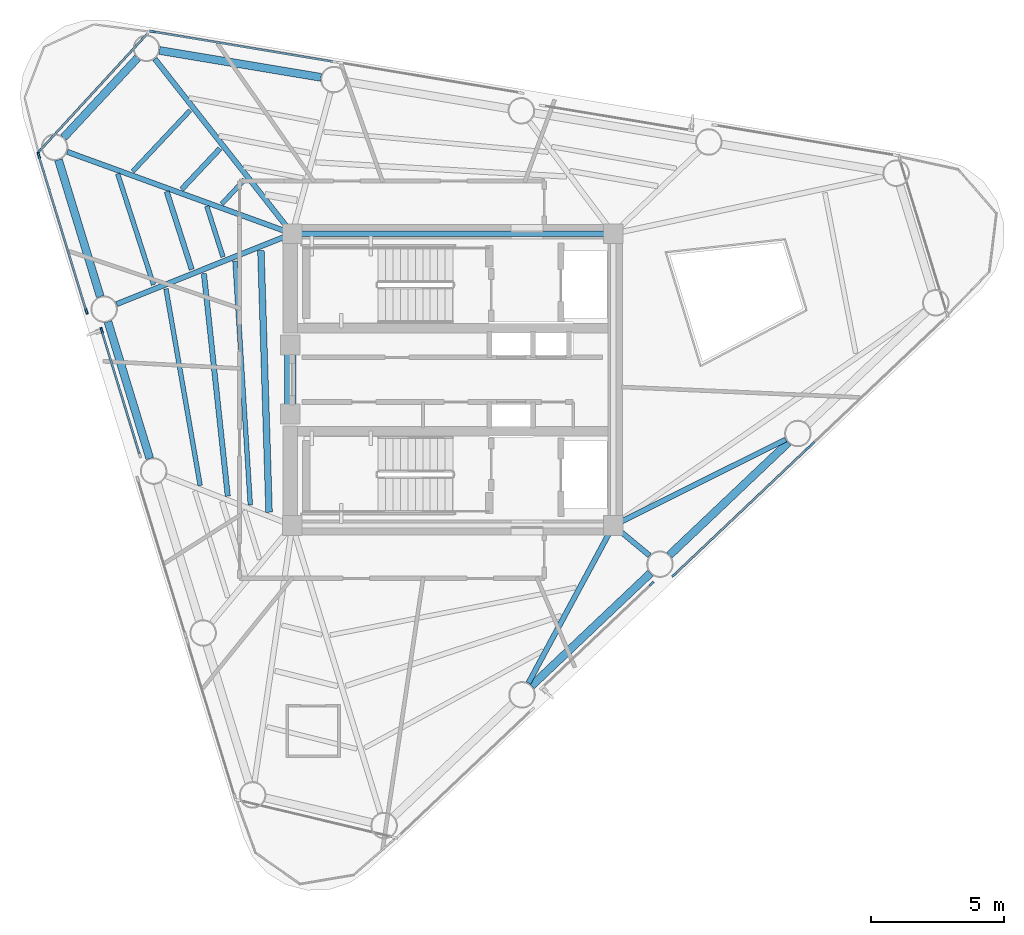
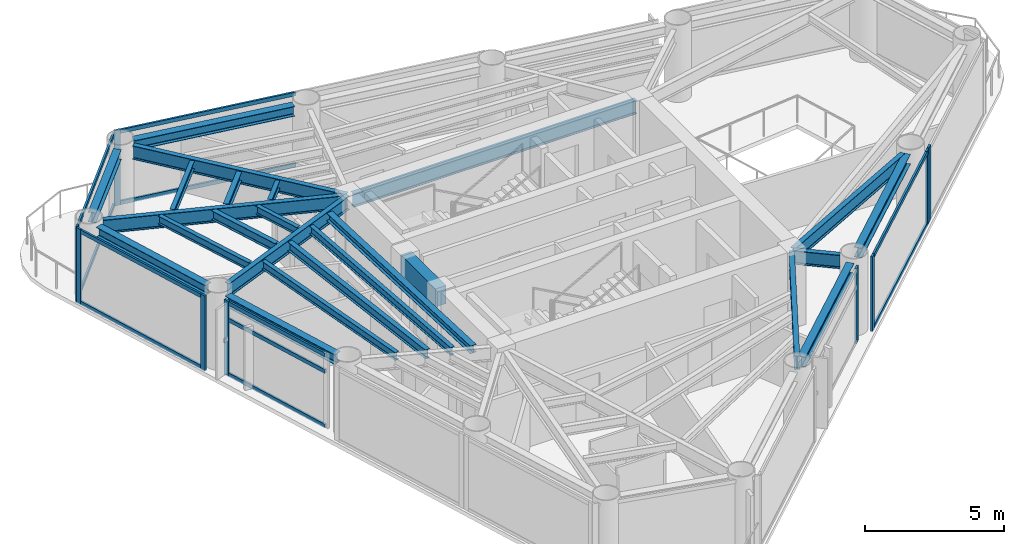
# One storey, part 2 of 8: 24 beams, 20 members, 7 elements without a shape of their own.
"""IFC4 building model written with IfcOpenShell, lengths in metres."""

from ifc_helpers import new_model, si_unit, direction, frame, origin, origin_2d, place, context, subcontext, project, spatial, rectangle, i_section, extrude, source, transform, mapped, material, layer, layer_set, material_profile, profile_set, type_object, element, aggregate, save


model = new_model("IFC4")

# Units and contexts
model_context = context("Model", 3, precision=1e-05, world=origin(), true_north=direction((0.0, 1.0)))
body_context = subcontext(model_context, "Body", "Model", "MODEL_VIEW")
ifc_project = project(units=[si_unit("LENGTHUNIT", "METRE"), si_unit("AREAUNIT", "SQUARE_METRE"), si_unit("VOLUMEUNIT", "CUBIC_METRE"), si_unit("PLANEANGLEUNIT", "RADIAN"), si_unit("MASSUNIT", "GRAM", prefix="KILO")], contexts=[model_context])

# Site, building, storey
site_placement = place(None, origin())
site = spatial("IfcSite", under=ifc_project, at=site_placement, CompositionType="ELEMENT")
building_placement = place(site_placement, origin())
building = spatial("IfcBuilding", under=site, at=building_placement, Name="Yunling Apex Tower", CompositionType="ELEMENT")
storey_placement = place(building_placement, frame((0.0, 0.0, 235.449951171875)))
storey = spatial("IfcBuildingStorey", under=building, at=storey_placement, Name="L57", CompositionType="ELEMENT", Elevation=235.449951171875)

# Beams
ifc_material_1 = material(Name="Concrete C40", Category="concrete")
ifc_material_profile_1 = material_profile(ifc_material_1, rectangle(XDim=0.449951171875, YDim=0.800048828125, at=origin_2d()))
ifc_profile_set_1 = profile_set([ifc_material_profile_1], Name="Concrete C40")
beam_type_1 = type_object("IfcBeamType", Name="BC-CPL-3", PredefinedType="BEAM", material=ifc_profile_set_1)
shared_shape_1 = source(origin(), body_context, "Body", "SweptSolid", [
    extrude(rectangle(XDim=0.449951171875, YDim=0.800048828125, at=origin_2d()), origin(), (0.0, 0.0, 1.0), 2.5),
])
beam_1_placement = place(storey_placement, frame((-6.125, -1.25, 2.820068359375), z_axis=(0.0, 1.0, 0.0), x_axis=(-1.0, 0.0, 0.0)))
element("IfcBeam", 1, at=beam_1_placement, inside=storey, type_object=beam_type_1, Name="L57 Core West Portal Coupling Beam", PredefinedType="BEAM", context=body_context, shape_type="MappedRepresentation", body=[
    mapped(shared_shape_1, transform((0.0, 0.0, 0.0), scale=1.0)),
])
ifc_material_2 = material(Name="Steel Q355B", Category="steel")
ifc_material_profile_2 = material_profile(ifc_material_2, i_section(OverallWidth=0.199951171875, OverallDepth=0.60009765625, WebThickness=0.010986328125, FlangeThickness=0.01708984375, FilletRadius=0.02197265625, at=origin_2d()))
ifc_profile_set_2 = profile_set([ifc_material_profile_2], Name="Steel Q355B")
beam_type_2 = type_object("IfcBeamType", Name="BG-PRI-5", PredefinedType="USERDEFINED", material=ifc_profile_set_2)
shared_shape_2 = source(origin(), body_context, "Body", "SweptSolid", [
    extrude(i_section(OverallWidth=0.199951171875, OverallDepth=0.60009765625, WebThickness=0.010986328125, FlangeThickness=0.01708984375, FilletRadius=0.02197265625, at=origin_2d()), origin(), (0.0, 0.0, 1.0), 11.7998046875),
])
beam_2_placement = place(storey_placement, frame((5.89990234375, 5.5, 2.920166015625), z_axis=(-1.0, 0.0, 0.0), x_axis=(0.0, -1.0, 0.0)))
element("IfcBeam", 2, at=beam_2_placement, inside=storey, type_object=beam_type_2, Name="L57 Core Ring Tie Beam 3", ObjectType="GIRDER", PredefinedType="USERDEFINED", context=body_context, shape_type="MappedRepresentation", body=[
    mapped(shared_shape_2, transform((0.0, 0.0, 0.0), scale=1.0)),
])
ifc_material_profile_3 = material_profile(ifc_material_2, i_section(OverallWidth=0.300048828125, OverallDepth=0.43994140625, WebThickness=0.010986328125, FlangeThickness=0.01806640625, FilletRadius=0.02197265625, at=origin_2d()))
ifc_profile_set_3 = profile_set([ifc_material_profile_3], Name="Steel Q355B")
beam_type_3 = type_object("IfcBeamType", Name="BP-SPN-3", PredefinedType="SPANDREL", material=ifc_profile_set_3)
shared_shape_3 = source(origin(), body_context, "Body", "SweptSolid", [
    extrude(i_section(OverallWidth=0.300048828125, OverallDepth=0.43994140625, WebThickness=0.010986328125, FlangeThickness=0.01806640625, FilletRadius=0.02197265625, at=origin_2d()), origin(), (0.0, 0.0, 1.0), 6.17333984375),
])
for number, where, z_axis, x_axis, name in (
    (3, (8.16748046875, -6.6162109375, 3.0), (0.725853952128, 0.687848849807, 0.0), (-0.687848849807, 0.725853952128, 0.0), "L57 Perimeter Spandrel Beam 3"),
    (4, (-4.967041015625, 11.391845703125, 3.0), (-0.986400336233, 0.164360508275, 0.0), (-0.164360508275, -0.986400336233, 0.0), "L57 Perimeter Spandrel Beam 9"),
):
    element("IfcBeam", number, at=place(storey_placement, frame(where, z_axis=z_axis, x_axis=x_axis)), inside=storey, type_object=beam_type_3, Name=name, PredefinedType="SPANDREL", context=body_context, shape_type="MappedRepresentation", body=[
        mapped(shared_shape_3, transform((0.0, 0.0, 0.0), scale=1.0)),
    ])
shared_shape_4 = source(origin(), body_context, "Body", "SweptSolid", [
    extrude(i_section(OverallWidth=0.300048828125, OverallDepth=0.43994140625, WebThickness=0.010986328125, FlangeThickness=0.01806640625, FilletRadius=0.02197265625, at=origin_2d()), origin(), (0.0, 0.0, 1.0), 6.173095703125),
])
beam_3_placement = place(storey_placement, frame((2.969482421875, -11.5419921875, 3.0), z_axis=(0.725873697531, 0.687828012829, 0.0), x_axis=(-0.687828012829, 0.725873697531, 0.0)))
element("IfcBeam", 5, at=beam_3_placement, inside=storey, type_object=beam_type_3, Name="L57 Perimeter Spandrel Beam 2", PredefinedType="SPANDREL", context=body_context, shape_type="MappedRepresentation", body=[
    mapped(shared_shape_4, transform((0.0, 0.0, 0.0), scale=1.0)),
])
shared_shape_5 = source(origin(), body_context, "Body", "SweptSolid", [
    extrude(i_section(OverallWidth=0.300048828125, OverallDepth=0.43994140625, WebThickness=0.010986328125, FlangeThickness=0.01806640625, FilletRadius=0.02197265625, at=origin_2d()), origin(), (0.0, 0.0, 1.0), 4.1015625),
])
beam_4_placement = place(storey_placement, frame((-11.8798828125, 12.125732421875, 3.0), z_axis=(-0.680585789197, -0.732668399443, 0.0), x_axis=(0.732668399443, -0.680585789197, 0.0)))
element("IfcBeam", 6, at=beam_4_placement, inside=storey, type_object=beam_type_3, Name="L57 Perimeter Spandrel Beam 10", PredefinedType="SPANDREL", context=body_context, shape_type="MappedRepresentation", body=[
    mapped(shared_shape_5, transform((0.0, 0.0, 0.0), scale=1.0)),
])
shared_shape_6 = source(origin(), body_context, "Body", "SweptSolid", [
    extrude(i_section(OverallWidth=0.300048828125, OverallDepth=0.43994140625, WebThickness=0.010986328125, FlangeThickness=0.01806640625, FilletRadius=0.02197265625, at=origin_2d()), origin(), (0.0, 0.0, 1.0), 5.39404296875),
])
for number, where, z_axis, x_axis, name in (
    (7, (-14.863037109375, 8.286376953125, 3.0), (0.292393318538, -0.956298147689, 0.0), (0.956298147689, 0.292393318538, 0.0), "L57 Perimeter Spandrel Beam 11"),
    (8, (-12.997314453125, 2.183349609375, 3.0), (0.292380663083, -0.956302017072, 0.0), (0.956302017072, 0.292380663083, 0.0), "L57 Perimeter Spandrel Beam 12"),
):
    element("IfcBeam", number, at=place(storey_placement, frame(where, z_axis=z_axis, x_axis=x_axis)), inside=storey, type_object=beam_type_3, Name=name, PredefinedType="SPANDREL", context=body_context, shape_type="MappedRepresentation", body=[
        mapped(shared_shape_6, transform((0.0, 0.0, 0.0), scale=1.0)),
    ])
shared_shape_7 = source(origin(), body_context, "Body", "SweptSolid", [
    extrude(i_section(OverallWidth=0.199951171875, OverallDepth=0.60009765625, WebThickness=0.010986328125, FlangeThickness=0.01708984375, FilletRadius=0.02197265625, at=origin_2d()), origin(), (0.0, 0.0, 1.0), 6.661865234375),
])
beam_5_placement = place(storey_placement, frame((2.851806640625, -11.434814453125, 2.920166015625), z_axis=(0.474372979845, 0.88032396082, 0.0), x_axis=(-0.88032396082, 0.474372979845, 0.0)))
element("IfcBeam", 9, at=beam_5_placement, inside=storey, type_object=beam_type_2, Name="L57 Radial Primary Girder R02", ObjectType="GIRDER", PredefinedType="USERDEFINED", context=body_context, shape_type="MappedRepresentation", body=[
    mapped(shared_shape_7, transform((0.0, 0.0, 0.0), scale=1.0)),
])
shared_shape_8 = source(origin(), body_context, "Body", "SweptSolid", [
    extrude(i_section(OverallWidth=0.199951171875, OverallDepth=0.60009765625, WebThickness=0.010986328125, FlangeThickness=0.01708984375, FilletRadius=0.02197265625, at=origin_2d()), origin(), (0.0, 0.0, 1.0), 1.695556640625),
])
beam_6_placement = place(storey_placement, frame((7.417724609375, -6.632080078125, 2.920166015625), z_axis=(-0.770365054174, 0.637603076614, 0.0), x_axis=(-0.637603076614, -0.770365054174, 0.0)))
element("IfcBeam", 10, at=beam_6_placement, inside=storey, type_object=beam_type_2, Name="L57 Radial Primary Girder R03", ObjectType="GIRDER", PredefinedType="USERDEFINED", context=body_context, shape_type="MappedRepresentation", body=[
    mapped(shared_shape_8, transform((0.0, 0.0, 0.0), scale=1.0)),
])
shared_shape_9 = source(origin(), body_context, "Body", "SweptSolid", [
    extrude(i_section(OverallWidth=0.199951171875, OverallDepth=0.60009765625, WebThickness=0.010986328125, FlangeThickness=0.01708984375, FilletRadius=0.02197265625, at=origin_2d()), origin(), (0.0, 0.0, 1.0), 7.1865234375),
])
beam_7_placement = place(storey_placement, frame((12.552490234375, -2.256591796875, 2.920166015625), z_axis=(-0.894854827722, -0.446357297803, 0.0), x_axis=(0.446357297803, -0.894854827722, 0.0)))
element("IfcBeam", 11, at=beam_7_placement, inside=storey, type_object=beam_type_2, Name="L57 Radial Primary Girder R04", ObjectType="GIRDER", PredefinedType="USERDEFINED", context=body_context, shape_type="MappedRepresentation", body=[
    mapped(shared_shape_9, transform((0.0, 0.0, 0.0), scale=1.0)),
])
shared_shape_10 = source(origin(), body_context, "Body", "SweptSolid", [
    extrude(i_section(OverallWidth=0.199951171875, OverallDepth=0.60009765625, WebThickness=0.010986328125, FlangeThickness=0.01708984375, FilletRadius=0.02197265625, at=origin_2d()), origin(), (0.0, 0.0, 1.0), 8.300537109375),
])
beam_8_placement = place(storey_placement, frame((-11.229736328125, 12.088134765625, 2.920166015625), z_axis=(0.618080016926, -0.786115190463, 0.0), x_axis=(0.786115190463, 0.618080016926, 0.0)))
element("IfcBeam", 12, at=beam_8_placement, inside=storey, type_object=beam_type_2, Name="L57 Radial Primary Girder R10", ObjectType="GIRDER", PredefinedType="USERDEFINED", context=body_context, shape_type="MappedRepresentation", body=[
    mapped(shared_shape_10, transform((0.0, 0.0, 0.0), scale=1.0)),
])
shared_shape_11 = source(origin(), body_context, "Body", "SweptSolid", [
    extrude(i_section(OverallWidth=0.199951171875, OverallDepth=0.60009765625, WebThickness=0.010986328125, FlangeThickness=0.01708984375, FilletRadius=0.02197265625, at=origin_2d()), origin(), (0.0, 0.0, 1.0), 8.943603515625),
])
beam_9_placement = place(storey_placement, frame((-14.530029296875, 8.5849609375, 2.920166015625), z_axis=(0.939745593755, -0.341874566205, 0.0), x_axis=(0.341874566205, 0.939745593755, 0.0)))
element("IfcBeam", 13, at=beam_9_placement, inside=storey, type_object=beam_type_2, Name="L57 Radial Primary Girder R11", ObjectType="GIRDER", PredefinedType="USERDEFINED", context=body_context, shape_type="MappedRepresentation", body=[
    mapped(shared_shape_11, transform((0.0, 0.0, 0.0), scale=1.0)),
])
shared_shape_12 = source(origin(), body_context, "Body", "SweptSolid", [
    extrude(i_section(OverallWidth=0.199951171875, OverallDepth=0.60009765625, WebThickness=0.010986328125, FlangeThickness=0.01708984375, FilletRadius=0.02197265625, at=origin_2d()), origin(), (0.0, 0.0, 1.0), 7.052734375),
])
beam_10_placement = place(storey_placement, frame((-12.670166015625, 2.8447265625, 2.920166015625), z_axis=(0.928127733356, 0.372261884399, 0.0), x_axis=(-0.372261884399, 0.928127733356, 0.0)))
element("IfcBeam", 14, at=beam_10_placement, inside=storey, type_object=beam_type_2, Name="L57 Radial Primary Girder R12", ObjectType="GIRDER", PredefinedType="USERDEFINED", context=body_context, shape_type="MappedRepresentation", body=[
    mapped(shared_shape_12, transform((0.0, 0.0, 0.0), scale=1.0)),
])
ifc_material_profile_4 = material_profile(ifc_material_2, i_section(OverallWidth=0.199951171875, OverallDepth=0.39990234375, WebThickness=0.008056640625, FlangeThickness=0.012939453125, FilletRadius=0.01611328125, at=origin_2d()))
ifc_profile_set_4 = profile_set([ifc_material_profile_4], Name="Steel Q355B")
beam_type_4 = type_object("IfcBeamType", Name="BS-SEC-4", PredefinedType="BEAM", material=ifc_profile_set_4)
shared_shape_13 = source(origin(), body_context, "Body", "SweptSolid", [
    extrude(i_section(OverallWidth=0.199951171875, OverallDepth=0.39990234375, WebThickness=0.008056640625, FlangeThickness=0.012939453125, FilletRadius=0.01611328125, at=origin_2d()), origin(), (0.0, 0.0, 1.0), 2.108154296875),
])
beam_11_placement = place(storey_placement, frame((-8.774169921875, 8.708984375, 3.02001953125), z_axis=(-0.684880497063, -0.728655408779, 0.0), x_axis=(0.728655408779, -0.684880497063, 0.0)))
element("IfcBeam", 15, at=beam_11_placement, inside=storey, type_object=beam_type_4, Name="L57 Composite Floor Beam BS-10", PredefinedType="BEAM", context=body_context, shape_type="MappedRepresentation", body=[
    mapped(shared_shape_13, transform((0.0, 0.0, 0.0), scale=1.0)),
])
ifc_material_profile_5 = material_profile(ifc_material_2, i_section(OverallWidth=0.175048828125, OverallDepth=0.35009765625, WebThickness=0.007080078125, FlangeThickness=0.010986328125, FilletRadius=0.013916015625, at=origin_2d()))
ifc_profile_set_5 = profile_set([ifc_material_profile_5], Name="Steel Q355B")
beam_type_5 = type_object("IfcBeamType", Name="BJ-JST-1", PredefinedType="JOIST", material=ifc_profile_set_5)
shared_shape_14 = source(origin(), body_context, "Body", "SweptSolid", [
    extrude(i_section(OverallWidth=0.175048828125, OverallDepth=0.35009765625, WebThickness=0.007080078125, FlangeThickness=0.010986328125, FilletRadius=0.013916015625, at=origin_2d()), origin(), (0.0, 0.0, 1.0), 3.157470703125),
])
beam_12_placement = place(storey_placement, frame((-9.903076171875, 10.14453125, 3.045166015625), z_axis=(-0.685403289292, -0.728163670494, 0.0), x_axis=(0.728163670494, -0.685403289292, 0.0)))
element("IfcBeam", 16, at=beam_12_placement, inside=storey, type_object=beam_type_5, Name="L57 Composite Floor Joist BJ1-10", PredefinedType="JOIST", context=body_context, shape_type="MappedRepresentation", body=[
    mapped(shared_shape_14, transform((0.0, 0.0, 0.0), scale=1.0)),
])
shared_shape_15 = source(origin(), body_context, "Body", "SweptSolid", [
    extrude(i_section(OverallWidth=0.175048828125, OverallDepth=0.35009765625, WebThickness=0.007080078125, FlangeThickness=0.010986328125, FilletRadius=0.013916015625, at=origin_2d()), origin(), (0.0, 0.0, 1.0), 1.249755859375),
])
beam_13_placement = place(storey_placement, frame((-7.8505859375, 7.5341796875, 3.045166015625), z_axis=(-0.683980120085, -0.729500647929, 0.0), x_axis=(0.729500647929, -0.683980120085, 0.0)))
element("IfcBeam", 17, at=beam_13_placement, inside=storey, type_object=beam_type_5, Name="L57 Composite Floor Joist BJ3-10", PredefinedType="JOIST", context=body_context, shape_type="MappedRepresentation", body=[
    mapped(shared_shape_15, transform((0.0, 0.0, 0.0), scale=1.0)),
])
shared_shape_16 = source(origin(), body_context, "Body", "SweptSolid", [
    extrude(i_section(OverallWidth=0.199951171875, OverallDepth=0.39990234375, WebThickness=0.008056640625, FlangeThickness=0.012939453125, FilletRadius=0.01611328125, at=origin_2d()), origin(), (0.0, 0.0, 1.0), 3.083251953125),
])
beam_14_placement = place(storey_placement, frame((-10.782958984375, 7.08740234375, 3.02001953125), z_axis=(0.306209104811, -0.951964276709, 0.0), x_axis=(0.951964276709, 0.306209104811, 0.0)))
element("IfcBeam", 18, at=beam_14_placement, inside=storey, type_object=beam_type_4, Name="L57 Composite Floor Beam BS-11", PredefinedType="BEAM", context=body_context, shape_type="MappedRepresentation", body=[
    mapped(shared_shape_16, transform((0.0, 0.0, 0.0), scale=1.0)),
])
shared_shape_17 = source(origin(), body_context, "Body", "SweptSolid", [
    extrude(i_section(OverallWidth=0.175048828125, OverallDepth=0.35009765625, WebThickness=0.007080078125, FlangeThickness=0.010986328125, FilletRadius=0.013916015625, at=origin_2d()), origin(), (0.0, 0.0, 1.0), 4.3984375),
])
beam_15_placement = place(storey_placement, frame((-12.6318359375, 7.760009765625, 3.045166015625), z_axis=(0.307505485962, -0.951546307913, 0.0), x_axis=(0.951546307913, 0.307505485962, 0.0)))
element("IfcBeam", 19, at=beam_15_placement, inside=storey, type_object=beam_type_5, Name="L57 Composite Floor Joist BJ1-11", PredefinedType="JOIST", context=body_context, shape_type="MappedRepresentation", body=[
    mapped(shared_shape_17, transform((0.0, 0.0, 0.0), scale=1.0)),
])
shared_shape_18 = source(origin(), body_context, "Body", "SweptSolid", [
    extrude(i_section(OverallWidth=0.175048828125, OverallDepth=0.35009765625, WebThickness=0.007080078125, FlangeThickness=0.010986328125, FilletRadius=0.013916015625, at=origin_2d()), origin(), (0.0, 0.0, 1.0), 2.0068359375),
])
beam_16_placement = place(storey_placement, frame((-9.2705078125, 6.536865234375, 3.045166015625), z_axis=(0.304011984445, -0.95266820736, 0.0), x_axis=(0.95266820736, 0.304011984445, 0.0)))
element("IfcBeam", 20, at=beam_16_placement, inside=storey, type_object=beam_type_5, Name="L57 Composite Floor Joist BJ3-11", PredefinedType="JOIST", context=body_context, shape_type="MappedRepresentation", body=[
    mapped(shared_shape_18, transform((0.0, 0.0, 0.0), scale=1.0)),
])
shared_shape_19 = source(origin(), body_context, "Body", "SweptSolid", [
    extrude(i_section(OverallWidth=0.199951171875, OverallDepth=0.39990234375, WebThickness=0.008056640625, FlangeThickness=0.012939453125, FilletRadius=0.01611328125, at=origin_2d()), origin(), (0.0, 0.0, 1.0), 8.439208984375),
])
beam_17_placement = place(storey_placement, frame((-9.380126953125, 3.998291015625, 3.02001953125), z_axis=(0.106576025189, -0.994304556389, 0.0), x_axis=(0.994304556389, 0.106576025189, 0.0)))
element("IfcBeam", 21, at=beam_17_placement, inside=storey, type_object=beam_type_4, Name="L57 Composite Floor Beam BS-12", PredefinedType="BEAM", context=body_context, shape_type="MappedRepresentation", body=[
    mapped(shared_shape_19, transform((0.0, 0.0, 0.0), scale=1.0)),
])
shared_shape_20 = source(origin(), body_context, "Body", "SweptSolid", [
    extrude(i_section(OverallWidth=0.175048828125, OverallDepth=0.35009765625, WebThickness=0.007080078125, FlangeThickness=0.010986328125, FilletRadius=0.013916015625, at=origin_2d()), origin(), (0.0, 0.0, 1.0), 7.523681640625),
])
beam_18_placement = place(storey_placement, frame((-10.809814453125, 3.42236328125, 3.045166015625), z_axis=(0.171367194042, -0.985207229372, 0.0), x_axis=(0.985207229372, 0.171367194042, 0.0)))
element("IfcBeam", 22, at=beam_18_placement, inside=storey, type_object=beam_type_5, Name="L57 Composite Floor Joist BJ1-12", PredefinedType="JOIST", context=body_context, shape_type="MappedRepresentation", body=[
    mapped(shared_shape_20, transform((0.0, 0.0, 0.0), scale=1.0)),
])
shared_shape_21 = source(origin(), body_context, "Body", "SweptSolid", [
    extrude(i_section(OverallWidth=0.175048828125, OverallDepth=0.35009765625, WebThickness=0.007080078125, FlangeThickness=0.010986328125, FilletRadius=0.013916015625, at=origin_2d()), origin(), (0.0, 0.0, 1.0), 9.211669921875),
])
beam_19_placement = place(storey_placement, frame((-8.208984375, 4.470458984375, 3.045166015625), z_axis=(0.062680234959, -0.998033660828, 0.0), x_axis=(0.998033660828, 0.062680234959, 0.0)))
element("IfcBeam", 23, at=beam_19_placement, inside=storey, type_object=beam_type_5, Name="L57 Composite Floor Joist BJ3-12", PredefinedType="JOIST", context=body_context, shape_type="MappedRepresentation", body=[
    mapped(shared_shape_21, transform((0.0, 0.0, 0.0), scale=1.0)),
])
ifc_material_profile_6 = material_profile(ifc_material_2, i_section(OverallWidth=0.25, OverallDepth=0.340087890625, WebThickness=0.009033203125, FlangeThickness=0.013916015625, FilletRadius=0.01806640625, at=origin_2d()))
ifc_profile_set_6 = profile_set([ifc_material_profile_6], Name="Steel Q355B")
beam_type_6 = type_object("IfcBeamType", Name="BJ-JST-2", PredefinedType="JOIST", material=ifc_profile_set_6)
shared_shape_22 = source(origin(), body_context, "Body", "SweptSolid", [
    extrude(i_section(OverallWidth=0.25, OverallDepth=0.340087890625, WebThickness=0.009033203125, FlangeThickness=0.013916015625, FilletRadius=0.01806640625, at=origin_2d()), origin(), (0.0, 0.0, 1.0), 9.867431640625),
])
beam_20_placement = place(storey_placement, frame((-7.232177734375, 4.864013671875, 3.050048828125), z_axis=(0.03115055603, -0.999514703673, 0.0), x_axis=(0.999514703673, 0.03115055603, 0.0)))
element("IfcBeam", 24, at=beam_20_placement, inside=storey, type_object=beam_type_6, Name="L57 Composite Floor Joist BJ2-12", PredefinedType="JOIST", context=body_context, shape_type="MappedRepresentation", body=[
    mapped(shared_shape_22, transform((0.0, 0.0, 0.0), scale=1.0)),
])

# Curtain wall, members
ifc_material_3 = material(Name="Bronze anodised aluminium", Category="aluminium")
ifc_layer = layer(ifc_material_3, 0.219970703125)
ifc_layer_set = layer_set([ifc_layer], Name="Bronze anodised aluminium")
curtain_wall_type = type_object("IfcCurtainWallType", Name="CW-SYS-4", PredefinedType="NOTDEFINED", material=ifc_layer_set)
curtain_wall_1_placement = place(storey_placement, origin())
curtain_wall_1 = element("IfcCurtainWall", 25, at=curtain_wall_1_placement, inside=storey, type_object=curtain_wall_type, Name="CW-L57-F1-B3", PredefinedType="NOTDEFINED")
ifc_material_profile_7 = material_profile(ifc_material_3, rectangle(XDim=0.080078125, YDim=0.169921875, at=origin_2d()))
ifc_profile_set_7 = profile_set([ifc_material_profile_7], Name="Bronze anodised aluminium")
member_type_1 = type_object("IfcMemberType", Name="CW-TRN-4", PredefinedType="USERDEFINED", material=ifc_profile_set_7)
shared_shape_23 = source(origin(), body_context, "Body", "SweptSolid", [
    extrude(rectangle(XDim=0.080078125, YDim=0.169921875, at=origin_2d()), origin(), (0.0, 0.0, 1.0), 6.849365234375),
])
member_1_placement = place(storey_placement, frame((8.376220703125, -7.32763671875, 0.0400390625), z_axis=(0.725867443411, 0.687834612822, 0.0), x_axis=(-0.687834612822, 0.725867443411, 0.0)))
member_1 = element("IfcMember", 26, at=member_1_placement, type_object=member_type_1, Name="CW-SYS-4 transom 1.1", ObjectType="TRANSOM", PredefinedType="USERDEFINED", context=body_context, shape_type="MappedRepresentation", body=[
    mapped(shared_shape_23, transform((0.0, 0.0, 0.0), scale=1.0)),
])
member_2_placement = place(storey_placement, frame((8.376220703125, -7.32763671875, 3.179931640625), z_axis=(0.725867443411, 0.687834612822, 0.0), x_axis=(-0.687834612822, 0.725867443411, 0.0)))
member_2 = element("IfcMember", 27, at=member_2_placement, type_object=member_type_1, Name="CW-SYS-4 transom 1.2", ObjectType="TRANSOM", PredefinedType="USERDEFINED", context=body_context, shape_type="MappedRepresentation", body=[
    mapped(shared_shape_23, transform((0.0, 0.0, 0.0), scale=1.0)),
])

curtain_wall_2_placement = place(storey_placement, origin())
curtain_wall_2 = element("IfcCurtainWall", 28, at=curtain_wall_2_placement, inside=storey, type_object=curtain_wall_type, Name="CW-L57-F2-B4", PredefinedType="NOTDEFINED")
shared_shape_24 = source(origin(), body_context, "Body", "SweptSolid", [
    extrude(rectangle(XDim=0.080078125, YDim=0.169921875, at=origin_2d()), origin(), (0.0, 0.0, 1.0), 6.849609375),
])
member_3_placement = place(storey_placement, frame((-4.525146484375, 11.9873046875, 0.0400390625), z_axis=(-0.986401629478, 0.164352746749, 0.0), x_axis=(-0.164352746749, -0.986401629478, 0.0)))
member_3 = element("IfcMember", 29, at=member_3_placement, type_object=member_type_1, Name="CW-SYS-4 transom 1.1", ObjectType="TRANSOM", PredefinedType="USERDEFINED", context=body_context, shape_type="MappedRepresentation", body=[
    mapped(shared_shape_24, transform((0.0, 0.0, 0.0), scale=1.0)),
])
member_4_placement = place(storey_placement, frame((-4.525146484375, 11.9873046875, 3.179931640625), z_axis=(-0.986401629478, 0.164352746749, 0.0), x_axis=(-0.164352746749, -0.986401629478, 0.0)))
member_4 = element("IfcMember", 30, at=member_4_placement, type_object=member_type_1, Name="CW-SYS-4 transom 1.2", ObjectType="TRANSOM", PredefinedType="USERDEFINED", context=body_context, shape_type="MappedRepresentation", body=[
    mapped(shared_shape_24, transform((0.0, 0.0, 0.0), scale=1.0)),
])

curtain_wall_3_placement = place(storey_placement, origin())
curtain_wall_3 = element("IfcCurtainWall", 31, at=curtain_wall_3_placement, inside=storey, type_object=curtain_wall_type, Name="CW-L57-CRN2", PredefinedType="NOTDEFINED")
shared_shape_25 = source(origin(), body_context, "Body", "SweptSolid", [
    extrude(rectangle(XDim=0.080078125, YDim=0.169921875, at=origin_2d()), origin(), (0.0, 0.0, 1.0), 6.025390625),
])
member_5_placement = place(storey_placement, frame((-11.489990234375, 13.06298828125, 0.0400390625), z_axis=(-0.676824761053, -0.736144172582, 0.0), x_axis=(0.736144172582, -0.676824761053, 0.0)))
member_5 = element("IfcMember", 32, at=member_5_placement, type_object=member_type_1, Name="CW-SYS-4 transom 1.1", ObjectType="TRANSOM", PredefinedType="USERDEFINED", context=body_context, shape_type="MappedRepresentation", body=[
    mapped(shared_shape_25, transform((0.0, 0.0, 0.0), scale=1.0)),
])
member_6_placement = place(storey_placement, frame((-11.489990234375, 13.06298828125, 3.179931640625), z_axis=(-0.676824761053, -0.736144172582, 0.0), x_axis=(0.736144172582, -0.676824761053, 0.0)))
member_6 = element("IfcMember", 33, at=member_6_placement, type_object=member_type_1, Name="CW-SYS-4 transom 1.2", ObjectType="TRANSOM", PredefinedType="USERDEFINED", context=body_context, shape_type="MappedRepresentation", body=[
    mapped(shared_shape_25, transform((0.0, 0.0, 0.0), scale=1.0)),
])

curtain_wall_4_placement = place(storey_placement, origin())
curtain_wall_4 = element("IfcCurtainWall", 34, at=curtain_wall_4_placement, inside=storey, type_object=curtain_wall_type, Name="CW-L57-F3-B1", PredefinedType="NOTDEFINED")
shared_shape_26 = source(origin(), body_context, "Body", "SweptSolid", [
    extrude(rectangle(XDim=0.080078125, YDim=0.169921875, at=origin_2d()), origin(), (0.0, 0.0, 1.0), 6.06982421875),
])
member_7_placement = place(storey_placement, frame((-15.593017578125, 8.41650390625, 0.0400390625), z_axis=(0.292369766892, -0.956305348415, 0.0), x_axis=(0.956305348415, 0.292369766892, 0.0)))
member_7 = element("IfcMember", 35, at=member_7_placement, type_object=member_type_1, Name="CW-SYS-4 transom 1.1", ObjectType="TRANSOM", PredefinedType="USERDEFINED", context=body_context, shape_type="MappedRepresentation", body=[
    mapped(shared_shape_26, transform((0.0, 0.0, 0.0), scale=1.0)),
])
member_8_placement = place(storey_placement, frame((-15.593017578125, 8.41650390625, 3.179931640625), z_axis=(0.292369766892, -0.956305348415, 0.0), x_axis=(0.956305348415, 0.292369766892, 0.0)))
member_8 = element("IfcMember", 36, at=member_8_placement, type_object=member_type_1, Name="CW-SYS-4 transom 1.2", ObjectType="TRANSOM", PredefinedType="USERDEFINED", context=body_context, shape_type="MappedRepresentation", body=[
    mapped(shared_shape_26, transform((0.0, 0.0, 0.0), scale=1.0)),
])

curtain_wall_5_placement = place(storey_placement, origin())
curtain_wall_5 = element("IfcCurtainWall", 37, at=curtain_wall_5_placement, inside=storey, type_object=curtain_wall_type, Name="CW-L57-F3-B2", PredefinedType="NOTDEFINED")
shared_shape_27 = source(origin(), body_context, "Body", "SweptSolid", [
    extrude(rectangle(XDim=0.080078125, YDim=0.169921875, at=origin_2d()), origin(), (0.0, 0.0, 1.0), 4.829833984375),
])
member_9_placement = place(storey_placement, frame((-13.220703125, 1.820068359375, 0.0400390625), z_axis=(0.292366214736, -0.956306434403, 0.0), x_axis=(0.956306434403, 0.292366214736, 0.0)))
member_9 = element("IfcMember", 38, at=member_9_placement, type_object=member_type_1, Name="CW-SYS-4 transom 1.1", ObjectType="TRANSOM", PredefinedType="USERDEFINED", context=body_context, shape_type="MappedRepresentation", body=[
    mapped(shared_shape_27, transform((0.0, 0.0, 0.0), scale=1.0)),
])
member_10_placement = place(storey_placement, frame((-13.220703125, 1.820068359375, 2.447265625), z_axis=(0.292366214736, -0.956306434403, 0.0), x_axis=(0.956306434403, 0.292366214736, 0.0)))
member_10 = element("IfcMember", 39, at=member_10_placement, type_object=member_type_1, Name="CW-SYS-4 transom 1.2", ObjectType="TRANSOM", PredefinedType="USERDEFINED", context=body_context, shape_type="MappedRepresentation", body=[
    mapped(shared_shape_27, transform((0.0, 0.0, 0.0), scale=1.0)),
])
member_11_placement = place(storey_placement, frame((-13.220703125, 1.820068359375, 3.179931640625), z_axis=(0.292366214736, -0.956306434403, 0.0), x_axis=(0.956306434403, 0.292366214736, 0.0)))
member_11 = element("IfcMember", 40, at=member_11_placement, type_object=member_type_1, Name="CW-SYS-4 transom 1.3", ObjectType="TRANSOM", PredefinedType="USERDEFINED", context=body_context, shape_type="MappedRepresentation", body=[
    mapped(shared_shape_27, transform((0.0, 0.0, 0.0), scale=1.0)),
])

# Curtain wall, member
curtain_wall_6_placement = place(storey_placement, origin())
curtain_wall_6 = element("IfcCurtainWall", 41, at=curtain_wall_6_placement, inside=storey, type_object=curtain_wall_type, Name="CW-L57-F1-B2", PredefinedType="NOTDEFINED")
ifc_material_profile_8 = material_profile(ifc_material_3, rectangle(XDim=0.080078125, YDim=0.219970703125, at=origin_2d()))
ifc_profile_set_8 = profile_set([ifc_material_profile_8], Name="Bronze anodised aluminium")
member_type_2 = type_object("IfcMemberType", Name="CW-MUL-4", PredefinedType="MULLION", material=ifc_profile_set_8)
shared_shape_28 = source(origin(), body_context, "Body", "SweptSolid", [
    extrude(rectangle(XDim=0.080078125, YDim=0.219970703125, at=origin_2d()), origin(), (0.0, 0.0, 1.0), 3.320068359375),
])
member_12_placement = place(storey_placement, frame((7.491943359375, -7.697265625, -0.050048828125), z_axis=(0.0, 0.0, 1.0), x_axis=(-0.687854406681, 0.725848686167, 0.0)))
member_12 = element("IfcMember", 42, at=member_12_placement, type_object=member_type_2, Name="CW-SYS-4 mullion 2", PredefinedType="MULLION", context=body_context, shape_type="MappedRepresentation", body=[
    mapped(shared_shape_28, transform((0.0, 0.0, 0.0), scale=1.0)),
])
aggregate(curtain_wall_6, [member_12])

# Member
member_13_placement = place(storey_placement, frame((8.35009765625, -7.3525390625, -0.050048828125), z_axis=(0.0, 0.0, 1.0), x_axis=(-0.687848040467, 0.72585471909, 0.0)))
member_13 = element("IfcMember", 43, at=member_13_placement, type_object=member_type_2, Name="CW-SYS-4 mullion 1", PredefinedType="MULLION", context=body_context, shape_type="MappedRepresentation", body=[
    mapped(shared_shape_28, transform((0.0, 0.0, 0.0), scale=1.0)),
])

member_14_placement = place(storey_placement, frame((13.3740234375, -2.591552734375, -0.050048828125), z_axis=(0.0, 0.0, 1.0), x_axis=(-0.687848040467, 0.72585471909, 0.0)))
member_14 = element("IfcMember", 44, at=member_14_placement, type_object=member_type_2, Name="CW-SYS-4 mullion 2", PredefinedType="MULLION", context=body_context, shape_type="MappedRepresentation", body=[
    mapped(shared_shape_28, transform((0.0, 0.0, 0.0), scale=1.0)),
])

aggregate(curtain_wall_1, [member_13, member_14, member_1, member_2])

# Curtain wall, member
curtain_wall_7_placement = place(storey_placement, origin())
curtain_wall_7 = element("IfcCurtainWall", 45, at=curtain_wall_7_placement, inside=storey, type_object=curtain_wall_type, Name="CW-L57-F1-B4", PredefinedType="NOTDEFINED")
member_15_placement = place(storey_placement, frame((13.54833984375, -2.426513671875, -0.050048828125), z_axis=(0.0, 0.0, 1.0), x_axis=(-0.687848040467, 0.72585471909, 0.0)))
member_15 = element("IfcMember", 46, at=member_15_placement, type_object=member_type_2, Name="CW-SYS-4 mullion 1", PredefinedType="MULLION", context=body_context, shape_type="MappedRepresentation", body=[
    mapped(shared_shape_28, transform((0.0, 0.0, 0.0), scale=1.0)),
])
aggregate(curtain_wall_7, [member_15])

# Member
member_16_placement = place(storey_placement, frame((-11.31689453125, 13.118896484375, -0.050048828125), z_axis=(0.0, 0.0, 1.0), x_axis=(-0.164352664392, -0.9864016432, 0.0)))
member_16 = element("IfcMember", 47, at=member_16_placement, type_object=member_type_2, Name="CW-SYS-4 mullion 2", PredefinedType="MULLION", context=body_context, shape_type="MappedRepresentation", body=[
    mapped(shared_shape_28, transform((0.0, 0.0, 0.0), scale=1.0)),
])

aggregate(curtain_wall_2, [member_16, member_3, member_4])

member_17_placement = place(storey_placement, frame((-15.592529296875, 8.60107421875, -0.050048828125), z_axis=(0.0, 0.0, 1.0), x_axis=(0.736133922549, -0.676835909266, 0.0)))
member_17 = element("IfcMember", 48, at=member_17_placement, type_object=member_type_2, Name="CW-SYS-4 mullion 2", PredefinedType="MULLION", context=body_context, shape_type="MappedRepresentation", body=[
    mapped(shared_shape_28, transform((0.0, 0.0, 0.0), scale=1.0)),
])

aggregate(curtain_wall_3, [member_17, member_5, member_6])

member_18_placement = place(storey_placement, frame((-15.603515625, 8.450927734375, -0.050048828125), z_axis=(0.0, 0.0, 1.0), x_axis=(0.956304646078, 0.29237206414, 0.0)))
member_18 = element("IfcMember", 49, at=member_18_placement, type_object=member_type_2, Name="CW-SYS-4 mullion 1", PredefinedType="MULLION", context=body_context, shape_type="MappedRepresentation", body=[
    mapped(shared_shape_28, transform((0.0, 0.0, 0.0), scale=1.0)),
])

member_19_placement = place(storey_placement, frame((-13.807861328125, 2.577392578125, -0.050048828125), z_axis=(0.0, 0.0, 1.0), x_axis=(0.956304646078, 0.29237206414, 0.0)))
member_19 = element("IfcMember", 50, at=member_19_placement, type_object=member_type_2, Name="CW-SYS-4 mullion 2", PredefinedType="MULLION", context=body_context, shape_type="MappedRepresentation", body=[
    mapped(shared_shape_28, transform((0.0, 0.0, 0.0), scale=1.0)),
])

aggregate(curtain_wall_4, [member_18, member_19, member_7, member_8])

member_20_placement = place(storey_placement, frame((-13.231201171875, 1.8544921875, -0.050048828125), z_axis=(0.0, 0.0, 1.0), x_axis=(0.956304345474, 0.29237304737, 0.0)))
member_20 = element("IfcMember", 51, at=member_20_placement, type_object=member_type_2, Name="CW-SYS-4 mullion 1", PredefinedType="MULLION", context=body_context, shape_type="MappedRepresentation", body=[
    mapped(shared_shape_28, transform((0.0, 0.0, 0.0), scale=1.0)),
])

aggregate(curtain_wall_5, [member_20, member_9, member_10, member_11])

save(model, "model.ifc")
